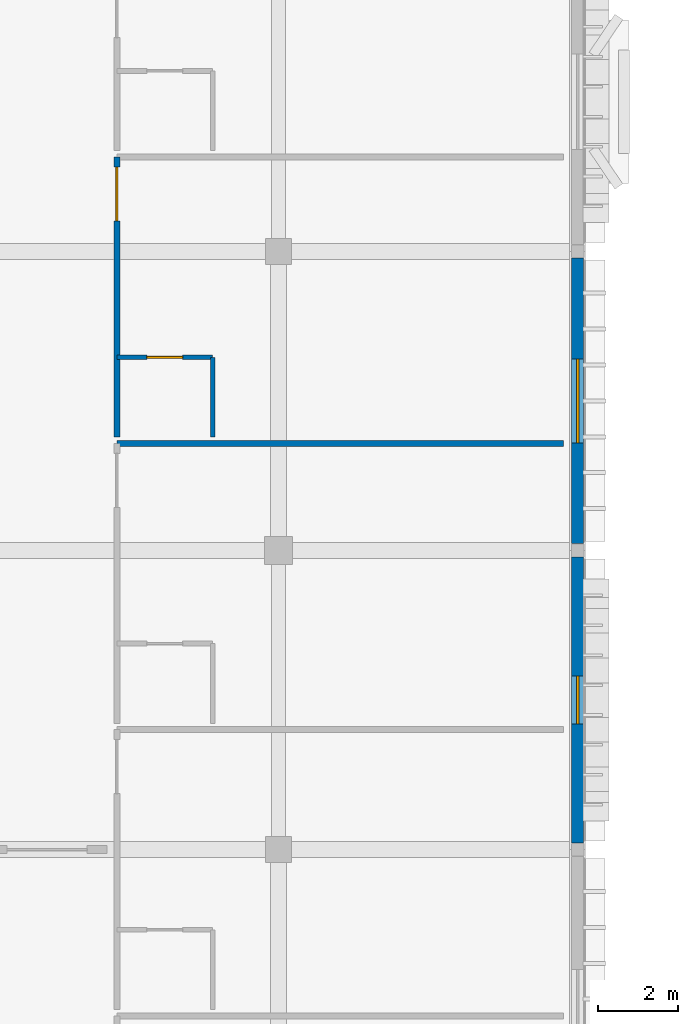
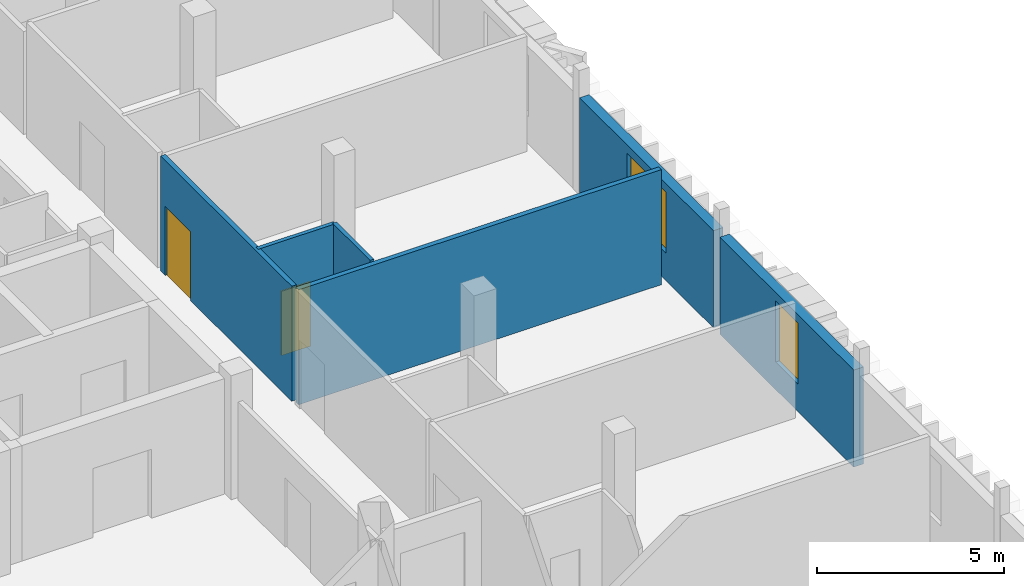
# One storey, part 19 of 48: 6 walls, 2 doors, 2 windows, 4 openings.
"""IFC4 building model written with IfcOpenShell, lengths in metres."""

from ifc_helpers import new_model, si_unit, direction, frame, frame_2d, origin, place, context, subcontext, project, spatial, rectangle, extrude, material, layer, layer_set, type_object, element, fill, save


model = new_model("IFC4")

# Units and contexts
model_context = context("Model", 3, precision=1e-05, world=origin(), true_north=direction((0.0, 1.0)))
body_context = subcontext(model_context, "Body", "Model", "MODEL_VIEW")
ifc_project = project(units=[si_unit("LENGTHUNIT", "METRE"), si_unit("AREAUNIT", "SQUARE_METRE"), si_unit("VOLUMEUNIT", "CUBIC_METRE"), si_unit("PLANEANGLEUNIT", "RADIAN"), si_unit("MASSUNIT", "GRAM", prefix="KILO")], contexts=[model_context])

# Site, building, storey
site_placement = place(None, origin())
site = spatial("IfcSite", under=ifc_project, at=site_placement, CompositionType="ELEMENT")
building_placement = place(site_placement, origin())
building = spatial("IfcBuilding", under=site, at=building_placement, Name="Dalvernix Boulevard General Hospital", CompositionType="ELEMENT")
storey_placement = place(building_placement, frame((0.0, 0.0, 17.85009765625)))
storey = spatial("IfcBuildingStorey", under=building, at=storey_placement, Name="L04", CompositionType="ELEMENT", Elevation=17.85009765625)

# Wall, opening, window
ifc_material_1 = material(Name="Pressed Catalan clay brick and ceramic spandrel wall C35/45", Category="masonry")
ifc_layer_1 = layer(ifc_material_1, 0.300048828125)
ifc_layer_set_1 = layer_set([ifc_layer_1], Name="Pressed Catalan clay brick and ceramic spandrel wall C35/45 (WAL-EW-02)")
wall_type_1 = type_object("IfcWallType", Name="WAL-EW-02", PredefinedType="STANDARD", material=ifc_layer_set_1)
wall_1_placement = place(storey_placement, frame((30.0, 53.830078125, 0.0), z_axis=(0.0, 0.0, 1.0), x_axis=(0.0, -1.0, 0.0)))
wall_1 = element("IfcWall", 1, at=wall_1_placement, inside=storey, type_object=wall_type_1, Name="L04 Catalan brick external wall E 4-6", PredefinedType="STANDARD", context=body_context, shape_type="SweptSolid", body=[
    extrude(rectangle(XDim=7.16015625, YDim=0.300048828125, at=frame_2d((3.580078125, 0.0))), origin(), (0.0, 0.0, 1.0), 3.169921875),
])
opening_1_placement = place(wall_1_placement, frame((2.97998046875, 0.0, 0.89990234375)))
opening_1 = element("IfcOpeningElement", 2, at=opening_1_placement, cuts=wall_1, Name="Opening WN-07", PredefinedType="OPENING", context=body_context, shape_type="SweptSolid", body=[
    extrude(rectangle(XDim=1.199951171875, YDim=1.989990234375, at=frame_2d((0.60009765625, 0.9951171875))), frame((0.0, 0.159912109375, 0.0), z_axis=(0.0, -1.0, 0.0), x_axis=(1.0, 0.0, 0.0)), (0.0, 0.0, 1.0), 0.320068359375),
])
ifc_material_2 = material(Name="Thermally broken aluminium frame with solar-control double glazing", Category="aluminium")
window_type_1 = type_object("IfcWindowType", Name="WIN-WN-07", PartitioningType="SINGLE_PANEL", PredefinedType="WINDOW", material=ifc_material_2)
window_1_placement = place(opening_1_placement, origin())
window_1 = element("IfcWindow", 3, at=window_1_placement, inside=storey, type_object=window_type_1, Name="L04 clinical window WN-07 E 4-6", OverallHeight=1.989990234375, OverallWidth=1.199951171875, PartitioningType="SINGLE_PANEL", PredefinedType="WINDOW", context=body_context, shape_type="SweptSolid", body=[
    extrude(rectangle(XDim=1.199951171875, YDim=1.989990234375, at=frame_2d((0.60009765625, 0.9951171875))), frame((0.0, 0.030029296875, 0.0), z_axis=(0.0, -1.0, 0.0), x_axis=(1.0, 0.0, 0.0)), (0.0, 0.0, 1.0), 0.06005859375),
])
fill(opening_1, window_1)

wall_2_placement = place(storey_placement, frame((30.0, 61.330078125, 0.0), z_axis=(0.0, 0.0, 1.0), x_axis=(0.0, -1.0, 0.0)))
wall_2 = element("IfcWall", 4, at=wall_2_placement, inside=storey, type_object=wall_type_1, Name="L04 Catalan brick external wall E 4-7", PredefinedType="STANDARD", context=body_context, shape_type="SweptSolid", body=[
    extrude(rectangle(XDim=7.16015625, YDim=0.300048828125, at=frame_2d((3.580078125, 0.0))), origin(), (0.0, 0.0, 1.0), 3.169921875),
])
opening_2_placement = place(wall_2_placement, frame((2.530029296875, 0.0, 0.89990234375)))
opening_2 = element("IfcOpeningElement", 5, at=opening_2_placement, cuts=wall_2, Name="Opening WN-08", PredefinedType="OPENING", context=body_context, shape_type="SweptSolid", body=[
    extrude(rectangle(XDim=2.10009765625, YDim=1.989990234375, at=frame_2d((1.050048828125, 0.9951171875))), frame((0.0, 0.159912109375, 0.0), z_axis=(0.0, -1.0, 0.0), x_axis=(1.0, 0.0, 0.0)), (0.0, 0.0, 1.0), 0.320068359375),
])
window_type_2 = type_object("IfcWindowType", Name="WIN-WN-08", PartitioningType="SINGLE_PANEL", PredefinedType="WINDOW", material=ifc_material_2)
window_2_placement = place(opening_2_placement, origin())
window_2 = element("IfcWindow", 6, at=window_2_placement, inside=storey, type_object=window_type_2, Name="L04 clinical window WN-08 E 4-7", OverallHeight=1.989990234375, OverallWidth=2.10009765625, PartitioningType="SINGLE_PANEL", PredefinedType="WINDOW", context=body_context, shape_type="SweptSolid", body=[
    extrude(rectangle(XDim=2.10009765625, YDim=1.989990234375, at=frame_2d((1.050048828125, 0.9951171875))), frame((0.0, 0.030029296875, 0.0), z_axis=(0.0, -1.0, 0.0), x_axis=(1.0, 0.0, 0.0)), (0.0, 0.0, 1.0), 0.06005859375),
])
fill(opening_2, window_2)

# Wall, opening, door
ifc_material_3 = material(Name="Acoustic double-stud gypsum inpatient partition")
ifc_layer_2 = layer(ifc_material_3, 0.14990234375)
ifc_layer_set_2 = layer_set([ifc_layer_2], Name="Acoustic double-stud gypsum inpatient partition (WAL-IW-04)")
wall_type_2 = type_object("IfcWallType", Name="WAL-IW-04", PredefinedType="PARTITIONING", material=ifc_layer_set_2)
wall_3_placement = place(storey_placement, frame((18.449951171875, 63.86083984375, 0.0), z_axis=(0.0, 0.0, 1.0), x_axis=(0.0, -1.0, 0.0)))
wall_3 = element("IfcWall", 7, at=wall_3_placement, inside=storey, type_object=wall_type_2, Name="L04 Single Patient Room L04-E06 corridor wall", PredefinedType="PARTITIONING", context=body_context, shape_type="SweptSolid", body=[
    extrude(rectangle(XDim=7.017333984375, YDim=0.14990234375, at=frame_2d((3.5087890625, 0.0))), origin(), (0.0, 0.0, 1.0), 3.7548828125),
])
opening_3_placement = place(wall_3_placement, frame((0.25, 0.0, 0.0)))
opening_3 = element("IfcOpeningElement", 8, at=opening_3_placement, cuts=wall_3, Name="Opening ID-01", PredefinedType="OPENING", context=body_context, shape_type="SweptSolid", body=[
    extrude(rectangle(XDim=1.35009765625, YDim=2.25, at=frame_2d((0.675048828125, 1.125))), frame((0.0, 0.0849609375, 0.0), z_axis=(0.0, -1.0, 0.0), x_axis=(1.0, 0.0, 0.0)), (0.0, 0.0, 1.0), 0.169921875),
])
ifc_material_4 = material(Name="Hospital laminate acoustic timber and steel frame", Category="steel")
door_type_1 = type_object("IfcDoorType", Name="DR-ID-01", OperationType="NOTDEFINED", PredefinedType="DOOR", material=ifc_material_4)
door_1_placement = place(opening_3_placement, origin())
door_1 = element("IfcDoor", 9, at=door_1_placement, inside=storey, type_object=door_type_1, Name="L04 Single Patient Room L04-E06 door", OperationType="SINGLE_SWING_RIGHT", OverallHeight=2.25, OverallWidth=1.35009765625, PredefinedType="DOOR", context=body_context, shape_type="SweptSolid", body=[
    extrude(rectangle(XDim=1.35009765625, YDim=2.25, at=frame_2d((0.675048828125, 1.125))), frame((0.0, 0.02490234375, 0.0), z_axis=(0.0, -1.0, 0.0), x_axis=(1.0, 0.0, 0.0)), (0.0, 0.0, 1.0), 0.050048828125),
])
fill(opening_3, door_1)

# Wall
wall_4_placement = place(storey_placement, frame((18.449951171875, 56.68359375, 0.0), z_axis=(0.0, 0.0, 1.0), x_axis=(1.0, 0.0, 0.0)))
element("IfcWall", 10, at=wall_4_placement, inside=storey, type_object=wall_type_2, Name="L04 Single Patient Room L04-E05 partition", PredefinedType="PARTITIONING", context=body_context, shape_type="SweptSolid", body=[
    extrude(rectangle(XDim=11.199951171875, YDim=0.14990234375, at=frame_2d((5.60009765625, 0.0))), origin(), (0.0, 0.0, 1.0), 3.7548828125),
])

# Wall, opening, door
ifc_material_5 = material(Name="Moisture-resistant en-suite bathroom partition")
ifc_layer_3 = layer(ifc_material_5, 0.1201171875)
ifc_layer_set_3 = layer_set([ifc_layer_3], Name="Moisture-resistant en-suite bathroom partition (WAL-IW-05)")
wall_type_3 = type_object("IfcWallType", Name="WAL-IW-05", PredefinedType="PARTITIONING", material=ifc_layer_set_3)
wall_5_placement = place(storey_placement, frame((20.85009765625, 58.843505859375, 0.0), z_axis=(0.0, 0.0, 1.0), x_axis=(-1.0, 0.0, 0.0)))
wall_5 = element("IfcWall", 11, at=wall_5_placement, inside=storey, type_object=wall_type_3, Name="L04 en-suite bathroom door wall", PredefinedType="PARTITIONING", context=body_context, shape_type="SweptSolid", body=[
    extrude(rectangle(XDim=2.400146484375, YDim=0.1201171875, at=frame_2d((1.2001953125, 0.0))), origin(), (0.0, 0.0, 1.0), 3.7548828125),
])
opening_4_placement = place(wall_5_placement, frame((0.75, 0.0, 0.0)))
opening_4 = element("IfcOpeningElement", 12, at=opening_4_placement, cuts=wall_5, Name="Opening ID-05", PredefinedType="OPENING", context=body_context, shape_type="SweptSolid", body=[
    extrude(rectangle(XDim=0.89990234375, YDim=2.10009765625, at=frame_2d((0.449951171875, 1.050048828125))), frame((0.0, 0.070068359375, 0.0), z_axis=(0.0, -1.0, 0.0), x_axis=(1.0, 0.0, 0.0)), (0.0, 0.0, 1.0), 0.14013671875),
])
door_type_2 = type_object("IfcDoorType", Name="DR-ID-05", OperationType="NOTDEFINED", PredefinedType="DOOR", material=ifc_material_4)
door_2_placement = place(opening_4_placement, origin())
door_2 = element("IfcDoor", 13, at=door_2_placement, inside=storey, type_object=door_type_2, Name="L04 L04-RM-E06 en-suite bathroom door", OperationType="SINGLE_SWING_LEFT", OverallHeight=2.10009765625, OverallWidth=0.89990234375, PredefinedType="DOOR", context=body_context, shape_type="SweptSolid", body=[
    extrude(rectangle(XDim=0.89990234375, YDim=2.10009765625, at=frame_2d((0.449951171875, 1.050048828125))), frame((0.0, 0.02490234375, 0.0), z_axis=(0.0, -1.0, 0.0), x_axis=(1.0, 0.0, 0.0)), (0.0, 0.0, 1.0), 0.050048828125),
])
fill(opening_4, door_2)

# Wall
wall_6_placement = place(storey_placement, frame((20.85009765625, 56.843505859375, 0.0), z_axis=(0.0, 0.0, 1.0), x_axis=(0.0, 1.0, 0.0)))
element("IfcWall", 14, at=wall_6_placement, inside=storey, type_object=wall_type_3, Name="L04 en-suite bathroom side wall", PredefinedType="PARTITIONING", context=body_context, shape_type="SweptSolid", body=[
    extrude(rectangle(XDim=2.0, YDim=0.1201171875, at=frame_2d((1.0, 0.0))), origin(), (0.0, 0.0, 1.0), 3.7548828125),
])

save(model, "model.ifc")
